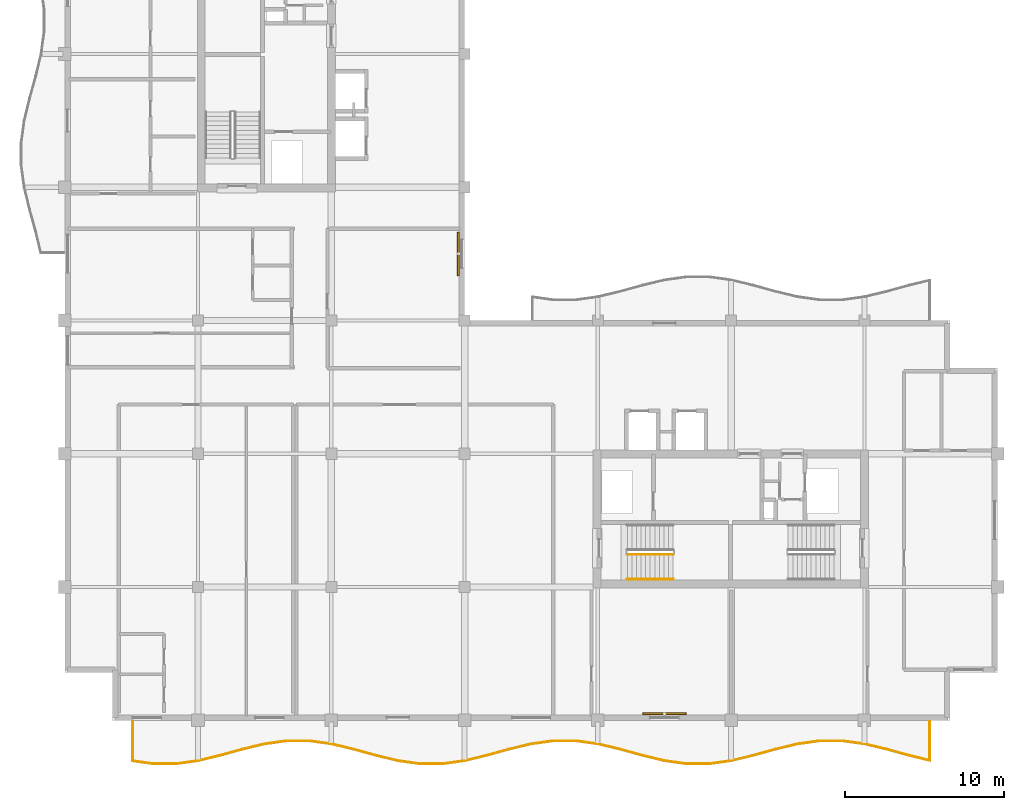
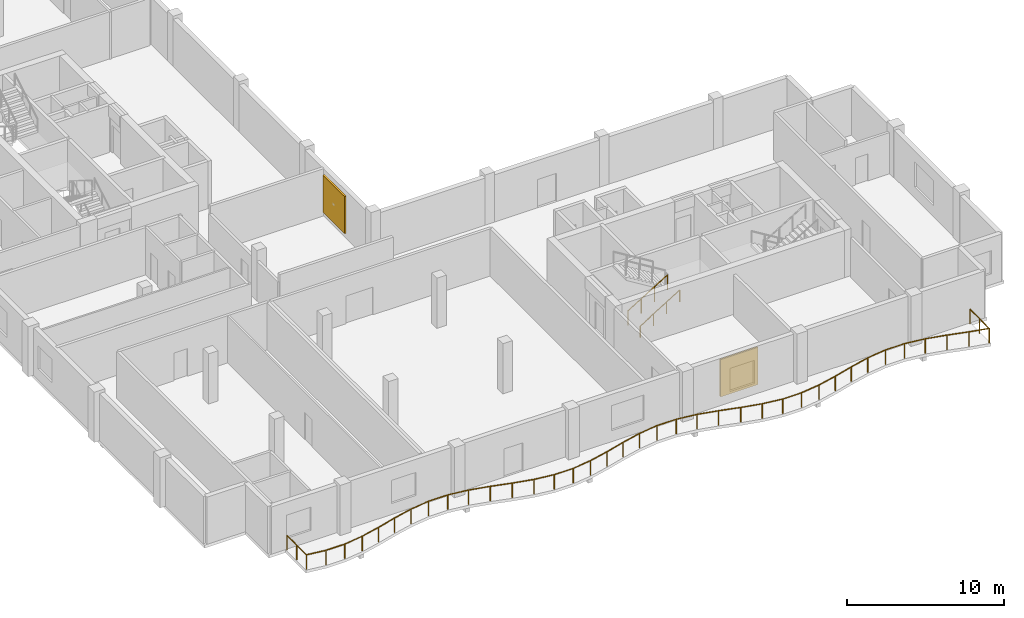
# One storey, part 9 of 11: 3 railings, 2 shading devices.
"""IFC4 building model written with IfcOpenShell, lengths in metres."""

from ifc_helpers import new_model, si_unit, direction, frame, origin, origin_2d, place, context, subcontext, project, spatial, rectangle, circle, extrude, material, layer, layer_set, type_object, element, save


model = new_model("IFC4")

# Units and contexts
model_context = context("Model", 3, precision=1e-05, world=origin(), true_north=direction((0.0, 1.0)))
body_context = subcontext(model_context, "Body", "Model", "MODEL_VIEW")
ifc_project = project(units=[si_unit("LENGTHUNIT", "METRE"), si_unit("AREAUNIT", "SQUARE_METRE"), si_unit("VOLUMEUNIT", "CUBIC_METRE"), si_unit("PLANEANGLEUNIT", "RADIAN"), si_unit("MASSUNIT", "GRAM", prefix="KILO")], contexts=[model_context])

# Site, building, storey
site_placement = place(None, origin())
site = spatial("IfcSite", under=ifc_project, at=site_placement, CompositionType="ELEMENT")
building_placement = place(site_placement, origin())
building = spatial("IfcBuilding", under=site, at=building_placement, Name="Koriwani Terraces Tower", CompositionType="ELEMENT")
storey_placement = place(building_placement, frame((0.0, 0.0, 335.89990234375)))
storey = spatial("IfcBuildingStorey", under=building, at=storey_placement, Name="L83", CompositionType="ELEMENT", Elevation=335.89990234375)

# Railings
ifc_material_1 = material(Name="Steel ASTM A572 Grade 50", Category="steel")
railing_type_1 = type_object("IfcRailingType", Name="GUARD_BALUSTRADE_1150", PredefinedType="BALUSTRADE", material=ifc_material_1)
railing_1_placement = place(storey_placement, frame((12.679931640625, 8.320068359375, 0.0)))
element("IfcRailing", 1, at=railing_1_placement, inside=storey, type_object=railing_type_1, Name="L83 Balcony Perimeter Safety Balustrade (S)", PredefinedType="BALUSTRADE", context=body_context, shape_type="SweptSolid", body=[
    extrude(circle(Radius=0.02392578125, at=origin_2d()), frame((0.0, 0.0, 1.1259765625), z_axis=(0.0, -1.0, 0.0), x_axis=(1.0, 0.0, 0.0)), (0.0, 0.0, 1.0), 2.480712890625),
    extrude(circle(Radius=0.02392578125, at=origin_2d()), frame((0.0, -2.480712890625, 1.1259765625), z_axis=(0.990521249999, -0.137359576657, 0.0), x_axis=(0.137359576657, 0.990521249999, 0.0)), (0.0, 0.0, 1.0), 1.33837890625),
    extrude(circle(Radius=0.02392578125, at=origin_2d()), frame((1.32568359375, -2.66455078125, 1.1259765625), z_axis=(1.0, 0.0, 0.0), x_axis=(0.0, 1.0, 0.0)), (0.0, 0.0, 1.0), 1.388916015625),
    extrude(circle(Radius=0.02392578125, at=origin_2d()), frame((2.714599609375, -2.66455078125, 1.1259765625), z_axis=(0.990518583157, 0.137378806302, 0.0), x_axis=(-0.137378806302, 0.990518583157, 0.0)), (0.0, 0.0, 1.0), 1.404052734375),
    extrude(circle(Radius=0.02392578125, at=origin_2d()), frame((4.105224609375, -2.4716796875, 1.1259765625), z_axis=(0.972353303141, 0.233514568862, 0.0), x_axis=(-0.233514568862, 0.972353303141, 0.0)), (0.0, 0.0, 1.0), 1.434326171875),
    extrude(circle(Radius=0.02392578125, at=origin_2d()), frame((5.5, -2.13671875, 1.1259765625), z_axis=(0.963650193341, 0.26716718525, 0.0), x_axis=(-0.26716718525, 0.963650193341, 0.0)), (0.0, 0.0, 1.0), 1.452880859375),
    extrude(circle(Radius=0.02392578125, at=origin_2d()), frame((6.900146484375, -1.74853515625, 1.1259765625), z_axis=(0.972394970075, 0.233340999769, 0.0), x_axis=(-0.233340999769, 0.972394970075, 0.0)), (0.0, 0.0, 1.0), 1.44482421875),
    extrude(circle(Radius=0.02392578125, at=origin_2d()), frame((8.30517578125, -1.411376953125, 1.1259765625), z_axis=(0.990534439774, 0.137264429555, 0.0), x_axis=(-0.137264429555, 0.990534439774, 0.0)), (0.0, 0.0, 1.0), 1.4228515625),
    extrude(circle(Radius=0.02392578125, at=origin_2d()), frame((9.714599609375, -1.216064453125, 1.1259765625), z_axis=(1.0, 0.0, 0.0), x_axis=(0.0, 1.0, 0.0)), (0.0, 0.0, 1.0), 1.410888671875),
    extrude(circle(Radius=0.02392578125, at=origin_2d()), frame((11.12548828125, -1.216064453125, 1.1259765625), z_axis=(0.990534439774, -0.137264429555, 0.0), x_axis=(0.137264429555, 0.990534439774, 0.0)), (0.0, 0.0, 1.0), 1.4228515625),
    extrude(circle(Radius=0.02392578125, at=origin_2d()), frame((12.534912109375, -1.411376953125, 1.1259765625), z_axis=(0.972404167631, -0.233302667738, 0.0), x_axis=(0.233302667738, 0.972404167631, 0.0)), (0.0, 0.0, 1.0), 1.445068359375),
    extrude(circle(Radius=0.02392578125, at=origin_2d()), frame((13.940185546875, -1.74853515625, 1.1259765625), z_axis=(0.963638196753, -0.267210452187, 0.0), x_axis=(0.267210452187, 0.963638196753, 0.0)), (0.0, 0.0, 1.0), 1.45263671875),
    extrude(circle(Radius=0.02392578125, at=origin_2d()), frame((15.340087890625, -2.13671875, 1.1259765625), z_axis=(0.972353303141, -0.233514568862, 0.0), x_axis=(0.233514568862, 0.972353303141, 0.0)), (0.0, 0.0, 1.0), 1.434326171875),
    extrude(circle(Radius=0.02392578125, at=origin_2d()), frame((16.73486328125, -2.4716796875, 1.1259765625), z_axis=(0.990518583157, -0.137378806302, 0.0), x_axis=(0.137378806302, 0.990518583157, 0.0)), (0.0, 0.0, 1.0), 1.404052734375),
    extrude(circle(Radius=0.02392578125, at=origin_2d()), frame((18.12548828125, -2.66455078125, 1.1259765625), z_axis=(1.0, 0.0, 0.0), x_axis=(0.0, 1.0, 0.0)), (0.0, 0.0, 1.0), 1.38916015625),
    extrude(circle(Radius=0.02392578125, at=origin_2d()), frame((19.5146484375, -2.66455078125, 1.1259765625), z_axis=(0.990518583157, 0.137378806302, 0.0), x_axis=(-0.137378806302, 0.990518583157, 0.0)), (0.0, 0.0, 1.0), 1.404052734375),
    extrude(circle(Radius=0.02392578125, at=origin_2d()), frame((20.9052734375, -2.4716796875, 1.1259765625), z_axis=(0.972353303141, 0.233514568862, 0.0), x_axis=(-0.233514568862, 0.972353303141, 0.0)), (0.0, 0.0, 1.0), 1.434326171875),
    extrude(circle(Radius=0.02392578125, at=origin_2d()), frame((22.300048828125, -2.13671875, 1.1259765625), z_axis=(0.963638196753, 0.267210452187, 0.0), x_axis=(-0.267210452187, 0.963638196753, 0.0)), (0.0, 0.0, 1.0), 1.45263671875),
    extrude(circle(Radius=0.02392578125, at=origin_2d()), frame((23.699951171875, -1.74853515625, 1.1259765625), z_axis=(0.972404167631, 0.233302667738, 0.0), x_axis=(-0.233302667738, 0.972404167631, 0.0)), (0.0, 0.0, 1.0), 1.445068359375),
    extrude(circle(Radius=0.02392578125, at=origin_2d()), frame((25.105224609375, -1.411376953125, 1.1259765625), z_axis=(0.990534439774, 0.137264429555, 0.0), x_axis=(-0.137264429555, 0.990534439774, 0.0)), (0.0, 0.0, 1.0), 1.4228515625),
    extrude(circle(Radius=0.02392578125, at=origin_2d()), frame((26.5146484375, -1.216064453125, 1.1259765625), z_axis=(1.0, 0.0, 0.0), x_axis=(0.0, 1.0, 0.0)), (0.0, 0.0, 1.0), 1.410888671875),
    extrude(circle(Radius=0.02392578125, at=origin_2d()), frame((27.925537109375, -1.216064453125, 1.1259765625), z_axis=(0.990534439774, -0.137264429555, 0.0), x_axis=(0.137264429555, 0.990534439774, 0.0)), (0.0, 0.0, 1.0), 1.4228515625),
    extrude(circle(Radius=0.02392578125, at=origin_2d()), frame((29.3349609375, -1.411376953125, 1.1259765625), z_axis=(0.972394970075, -0.233340999769, 0.0), x_axis=(0.233340999769, 0.972394970075, 0.0)), (0.0, 0.0, 1.0), 1.44482421875),
    extrude(circle(Radius=0.02392578125, at=origin_2d()), frame((30.739990234375, -1.74853515625, 1.1259765625), z_axis=(0.963650193341, -0.26716718525, 0.0), x_axis=(0.26716718525, 0.963650193341, 0.0)), (0.0, 0.0, 1.0), 1.452880859375),
    extrude(circle(Radius=0.02392578125, at=origin_2d()), frame((32.14013671875, -2.13671875, 1.1259765625), z_axis=(0.972353303141, -0.233514568862, 0.0), x_axis=(0.233514568862, 0.972353303141, 0.0)), (0.0, 0.0, 1.0), 1.434326171875),
    extrude(circle(Radius=0.02392578125, at=origin_2d()), frame((33.534912109375, -2.4716796875, 1.1259765625), z_axis=(0.990518583157, -0.137378806302, 0.0), x_axis=(0.137378806302, 0.990518583157, 0.0)), (0.0, 0.0, 1.0), 1.404052734375),
    extrude(circle(Radius=0.02392578125, at=origin_2d()), frame((34.925537109375, -2.66455078125, 1.1259765625), z_axis=(1.0, 0.0, 0.0), x_axis=(0.0, 1.0, 0.0)), (0.0, 0.0, 1.0), 1.388916015625),
    extrude(circle(Radius=0.02392578125, at=origin_2d()), frame((36.314453125, -2.66455078125, 1.1259765625), z_axis=(0.990518583157, 0.137378806302, 0.0), x_axis=(-0.137378806302, 0.990518583157, 0.0)), (0.0, 0.0, 1.0), 1.404052734375),
    extrude(circle(Radius=0.02392578125, at=origin_2d()), frame((37.705078125, -2.4716796875, 1.1259765625), z_axis=(0.972362581689, 0.23347592966, 0.0), x_axis=(-0.23347592966, 0.972362581689, 0.0)), (0.0, 0.0, 1.0), 1.4345703125),
    extrude(circle(Radius=0.02392578125, at=origin_2d()), frame((39.10009765625, -2.13671875, 1.1259765625), z_axis=(0.963638196753, 0.267210452187, 0.0), x_axis=(-0.267210452187, 0.963638196753, 0.0)), (0.0, 0.0, 1.0), 1.45263671875),
    extrude(circle(Radius=0.02392578125, at=origin_2d()), frame((40.5, -1.74853515625, 1.1259765625), z_axis=(0.972404167631, 0.233302667738, 0.0), x_axis=(-0.233302667738, 0.972404167631, 0.0)), (0.0, 0.0, 1.0), 1.445068359375),
    extrude(circle(Radius=0.02392578125, at=origin_2d()), frame((41.9052734375, -1.411376953125, 1.1259765625), z_axis=(0.990531206111, 0.137287762455, 0.0), x_axis=(-0.137287762455, 0.990531206111, 0.0)), (0.0, 0.0, 1.0), 1.422607421875),
    extrude(circle(Radius=0.02392578125, at=origin_2d()), frame((43.314453125, -1.216064453125, 1.1259765625), z_axis=(1.0, 0.0, 0.0), x_axis=(0.0, 1.0, 0.0)), (0.0, 0.0, 1.0), 1.4111328125),
    extrude(circle(Radius=0.02392578125, at=origin_2d()), frame((44.7255859375, -1.216064453125, 1.1259765625), z_axis=(0.990531206111, -0.137287762455, 0.0), x_axis=(0.137287762455, 0.990531206111, 0.0)), (0.0, 0.0, 1.0), 1.422607421875),
    extrude(circle(Radius=0.02392578125, at=origin_2d()), frame((46.134765625, -1.411376953125, 1.1259765625), z_axis=(0.972404167631, -0.233302667738, 0.0), x_axis=(0.233302667738, 0.972404167631, 0.0)), (0.0, 0.0, 1.0), 1.445068359375),
    extrude(circle(Radius=0.02392578125, at=origin_2d()), frame((47.5400390625, -1.74853515625, 1.1259765625), z_axis=(0.963650193341, -0.26716718525, 0.0), x_axis=(0.26716718525, 0.963650193341, 0.0)), (0.0, 0.0, 1.0), 1.452880859375),
    extrude(circle(Radius=0.02392578125, at=origin_2d()), frame((48.940185546875, -2.13671875, 1.1259765625), z_axis=(0.972335887086, -0.233587077307, 0.0), x_axis=(0.233587077307, 0.972335887086, 0.0)), (0.0, 0.0, 1.0), 1.336669921875),
    extrude(circle(Radius=0.02392578125, at=origin_2d()), frame((50.239990234375, -2.448974609375, 1.1259765625), z_axis=(0.0, 1.0, 0.0), x_axis=(-1.0, 0.0, 0.0)), (0.0, 0.0, 1.0), 2.448974609375),
    extrude(circle(Radius=0.02099609375, at=origin_2d()), origin(), (0.0, 0.0, 1.0), 1.101806640625),
    extrude(circle(Radius=0.02099609375, at=origin_2d()), frame((0.0, -1.240234375, 0.0)), (0.0, 0.0, 1.0), 1.101806640625),
    extrude(circle(Radius=0.02099609375, at=origin_2d()), frame((0.0, -2.480712890625, 0.0)), (0.0, 0.0, 1.0), 1.101806640625),
    extrude(circle(Radius=0.02099609375, at=origin_2d()), frame((1.32568359375, -2.66455078125, 0.0)), (0.0, 0.0, 1.0), 1.101806640625),
    extrude(circle(Radius=0.02099609375, at=origin_2d()), frame((2.714599609375, -2.66455078125, 0.0)), (0.0, 0.0, 1.0), 1.101806640625),
    extrude(circle(Radius=0.02099609375, at=origin_2d()), frame((4.105224609375, -2.4716796875, 0.0)), (0.0, 0.0, 1.0), 1.101806640625),
    extrude(circle(Radius=0.02099609375, at=origin_2d()), frame((5.5, -2.13671875, 0.0)), (0.0, 0.0, 1.0), 1.101806640625),
    extrude(circle(Radius=0.02099609375, at=origin_2d()), frame((6.900146484375, -1.74853515625, 0.0)), (0.0, 0.0, 1.0), 1.101806640625),
    extrude(circle(Radius=0.02099609375, at=origin_2d()), frame((8.30517578125, -1.411376953125, 0.0)), (0.0, 0.0, 1.0), 1.101806640625),
    extrude(circle(Radius=0.02099609375, at=origin_2d()), frame((9.714599609375, -1.216064453125, 0.0)), (0.0, 0.0, 1.0), 1.101806640625),
    extrude(circle(Radius=0.02099609375, at=origin_2d()), frame((11.12548828125, -1.216064453125, 0.0)), (0.0, 0.0, 1.0), 1.101806640625),
    extrude(circle(Radius=0.02099609375, at=origin_2d()), frame((12.534912109375, -1.411376953125, 0.0)), (0.0, 0.0, 1.0), 1.101806640625),
    extrude(circle(Radius=0.02099609375, at=origin_2d()), frame((13.940185546875, -1.74853515625, 0.0)), (0.0, 0.0, 1.0), 1.101806640625),
    extrude(circle(Radius=0.02099609375, at=origin_2d()), frame((15.340087890625, -2.13671875, 0.0)), (0.0, 0.0, 1.0), 1.101806640625),
    extrude(circle(Radius=0.02099609375, at=origin_2d()), frame((16.73486328125, -2.4716796875, 0.0)), (0.0, 0.0, 1.0), 1.101806640625),
    extrude(circle(Radius=0.02099609375, at=origin_2d()), frame((18.12548828125, -2.66455078125, 0.0)), (0.0, 0.0, 1.0), 1.101806640625),
    extrude(circle(Radius=0.02099609375, at=origin_2d()), frame((19.5146484375, -2.66455078125, 0.0)), (0.0, 0.0, 1.0), 1.101806640625),
    extrude(circle(Radius=0.02099609375, at=origin_2d()), frame((20.9052734375, -2.4716796875, 0.0)), (0.0, 0.0, 1.0), 1.101806640625),
    extrude(circle(Radius=0.02099609375, at=origin_2d()), frame((22.300048828125, -2.13671875, 0.0)), (0.0, 0.0, 1.0), 1.101806640625),
    extrude(circle(Radius=0.02099609375, at=origin_2d()), frame((23.699951171875, -1.74853515625, 0.0)), (0.0, 0.0, 1.0), 1.101806640625),
    extrude(circle(Radius=0.02099609375, at=origin_2d()), frame((25.105224609375, -1.411376953125, 0.0)), (0.0, 0.0, 1.0), 1.101806640625),
    extrude(circle(Radius=0.02099609375, at=origin_2d()), frame((26.5146484375, -1.216064453125, 0.0)), (0.0, 0.0, 1.0), 1.101806640625),
    extrude(circle(Radius=0.02099609375, at=origin_2d()), frame((27.925537109375, -1.216064453125, 0.0)), (0.0, 0.0, 1.0), 1.101806640625),
    extrude(circle(Radius=0.02099609375, at=origin_2d()), frame((29.3349609375, -1.411376953125, 0.0)), (0.0, 0.0, 1.0), 1.101806640625),
    extrude(circle(Radius=0.02099609375, at=origin_2d()), frame((30.739990234375, -1.74853515625, 0.0)), (0.0, 0.0, 1.0), 1.101806640625),
    extrude(circle(Radius=0.02099609375, at=origin_2d()), frame((32.14013671875, -2.13671875, 0.0)), (0.0, 0.0, 1.0), 1.101806640625),
    extrude(circle(Radius=0.02099609375, at=origin_2d()), frame((33.534912109375, -2.4716796875, 0.0)), (0.0, 0.0, 1.0), 1.101806640625),
    extrude(circle(Radius=0.02099609375, at=origin_2d()), frame((34.925537109375, -2.66455078125, 0.0)), (0.0, 0.0, 1.0), 1.101806640625),
    extrude(circle(Radius=0.02099609375, at=origin_2d()), frame((36.314453125, -2.66455078125, 0.0)), (0.0, 0.0, 1.0), 1.101806640625),
    extrude(circle(Radius=0.02099609375, at=origin_2d()), frame((37.705078125, -2.4716796875, 0.0)), (0.0, 0.0, 1.0), 1.101806640625),
    extrude(circle(Radius=0.02099609375, at=origin_2d()), frame((39.10009765625, -2.13671875, 0.0)), (0.0, 0.0, 1.0), 1.101806640625),
    extrude(circle(Radius=0.02099609375, at=origin_2d()), frame((40.5, -1.74853515625, 0.0)), (0.0, 0.0, 1.0), 1.101806640625),
    extrude(circle(Radius=0.02099609375, at=origin_2d()), frame((41.9052734375, -1.411376953125, 0.0)), (0.0, 0.0, 1.0), 1.101806640625),
    extrude(circle(Radius=0.02099609375, at=origin_2d()), frame((43.314453125, -1.216064453125, 0.0)), (0.0, 0.0, 1.0), 1.101806640625),
    extrude(circle(Radius=0.02099609375, at=origin_2d()), frame((44.7255859375, -1.216064453125, 0.0)), (0.0, 0.0, 1.0), 1.101806640625),
    extrude(circle(Radius=0.02099609375, at=origin_2d()), frame((46.134765625, -1.411376953125, 0.0)), (0.0, 0.0, 1.0), 1.101806640625),
    extrude(circle(Radius=0.02099609375, at=origin_2d()), frame((47.5400390625, -1.74853515625, 0.0)), (0.0, 0.0, 1.0), 1.101806640625),
    extrude(circle(Radius=0.02099609375, at=origin_2d()), frame((48.940185546875, -2.13671875, 0.0)), (0.0, 0.0, 1.0), 1.101806640625),
    extrude(circle(Radius=0.02099609375, at=origin_2d()), frame((50.239990234375, -2.448974609375, 0.0)), (0.0, 0.0, 1.0), 1.101806640625),
    extrude(circle(Radius=0.02099609375, at=origin_2d()), frame((50.239990234375, -1.224609375, 0.0)), (0.0, 0.0, 1.0), 1.101806640625),
    extrude(circle(Radius=0.02099609375, at=origin_2d()), frame((50.239990234375, 0.0, 0.0)), (0.0, 0.0, 1.0), 1.101806640625),
])
railing_type_2 = type_object("IfcRailingType", Name="GUARD_STAIR_WELL_1120", PredefinedType="GUARDRAIL", material=ifc_material_1)
railing_2_placement = place(storey_placement, frame((43.85009765625, 18.85009765625, 0.177490234375)))
element("IfcRailing", 2, at=railing_2_placement, inside=storey, type_object=railing_type_2, Name="L83 ST-E1 stair guard 1", PredefinedType="GUARDRAIL", context=body_context, shape_type="SweptSolid", body=[
    extrude(circle(Radius=0.02392578125, at=origin_2d()), frame((0.0, 0.0, 1.1259765625), z_axis=(0.853210801645, 0.0, 0.521566225858), x_axis=(0.0, 1.0, 0.0)), (0.0, 0.0, 1.0), 3.39892578125),
    extrude(circle(Radius=0.02099609375, at=origin_2d()), origin(), (0.0, 0.0, 1.0), 1.101806640625),
    extrude(circle(Radius=0.02099609375, at=origin_2d()), frame((0.966552734375, 0.0, 0.5908203125)), (0.0, 0.0, 1.0), 1.101806640625),
    extrude(circle(Radius=0.02099609375, at=origin_2d()), frame((1.933349609375, 0.0, 1.181884765625)), (0.0, 0.0, 1.0), 1.101806640625),
    extrude(circle(Radius=0.02099609375, at=origin_2d()), frame((2.89990234375, 0.0, 1.772705078125)), (0.0, 0.0, 1.0), 1.101806640625),
])
railing_type_3 = type_object("IfcRailingType", Name="HANDRAIL_STAIR_920", PredefinedType="HANDRAIL", material=ifc_material_1)
railing_3_placement = place(storey_placement, frame((43.85009765625, 17.300048828125, 0.177490234375)))
element("IfcRailing", 3, at=railing_3_placement, inside=storey, type_object=railing_type_3, Name="L83 ST-E1 stair handrail 1", PredefinedType="HANDRAIL", context=body_context, shape_type="SweptSolid", body=[
    extrude(circle(Radius=0.02392578125, at=origin_2d()), frame((0.0, 0.0, 0.8759765625), z_axis=(0.853210801645, 0.0, 0.521566225858), x_axis=(0.0, 1.0, 0.0)), (0.0, 0.0, 1.0), 3.39892578125),
    extrude(circle(Radius=0.02099609375, at=origin_2d()), origin(), (0.0, 0.0, 1.0), 0.851806640625),
    extrude(circle(Radius=0.02099609375, at=origin_2d()), frame((0.966552734375, 0.0, 0.5908203125)), (0.0, 0.0, 1.0), 0.851806640625),
    extrude(circle(Radius=0.02099609375, at=origin_2d()), frame((1.933349609375, 0.0, 1.181884765625)), (0.0, 0.0, 1.0), 0.851806640625),
    extrude(circle(Radius=0.02099609375, at=origin_2d()), frame((2.89990234375, 0.0, 1.772705078125)), (0.0, 0.0, 1.0), 0.851806640625),
])

# Shading devices
ifc_material_2 = material(Name="Extruded Terracotta Clay", Category="masonry")
ifc_layer = layer(ifc_material_2, 0.1201171875, Name="Extruded Terracotta Clay")
ifc_layer_set = layer_set([ifc_layer], Name="Extruded Terracotta Clay")
shading_device_type = type_object("IfcShadingDeviceType", Name="TERRACOTTA_BAGUETTE_SCREEN_2800", PredefinedType="USERDEFINED", material=ifc_layer_set)
for number, where, z_axis, x_axis, name in (
    (4, (33.195068359375, 37.800048828125, 0.38525390625), (0.0, 0.0, 1.0), (0.0, -1.0, 0.0), "L83 Extruded Terracotta Baguette Screen (NW_IN-2)"),
    (5, (46.199951171875, 8.804931640625, 0.38525390625), (0.0, 0.0, 1.0), (-1.0, 0.0, 0.0), "L83 Extruded Terracotta Baguette Screen (S-12)"),
):
    element("IfcShadingDevice", number, at=place(storey_placement, frame(where, z_axis=z_axis, x_axis=x_axis)), inside=storey, type_object=shading_device_type, Name=name, ObjectType="BAGUETTE", PredefinedType="USERDEFINED", context=body_context, shape_type="SweptSolid", body=[
        extrude(rectangle(XDim=2.760009765625, YDim=0.1201171875, at=origin_2d()), origin(), (0.0, 0.0, 1.0), 2.89990234375),
    ])

save(model, "model.ifc")
